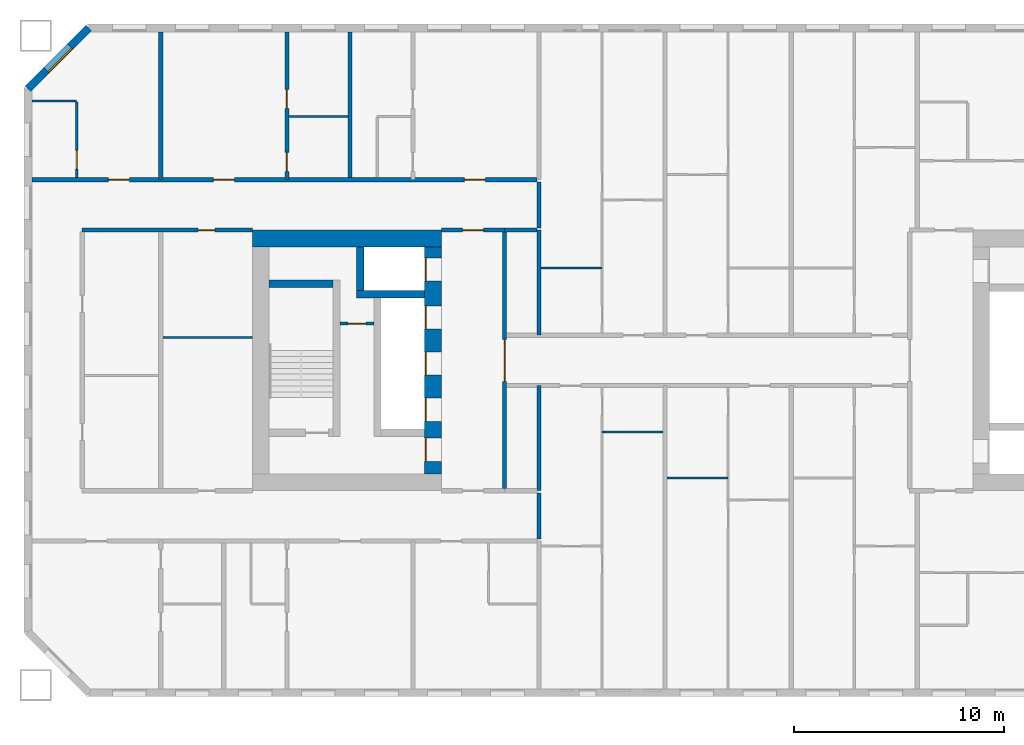
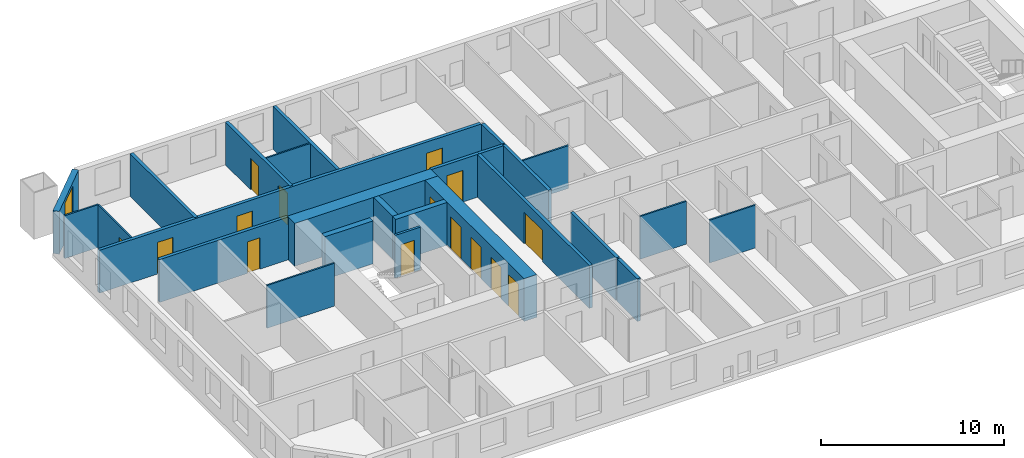
# One storey, part 4 of 16: 26 walls, 15 doors, 1 window, 16 openings.
"""IFC4 building model written with IfcOpenShell, lengths in metres."""

from ifc_helpers import new_model, si_unit, direction, frame, frame_2d, origin, place, context, subcontext, project, spatial, rectangle, extrude, material, layer, layer_set, type_object, element, fill, save


model = new_model("IFC4")

# Units and contexts
model_context = context("Model", 3, precision=1e-05, world=origin(), true_north=direction((0.0, 1.0)))
body_context = subcontext(model_context, "Body", "Model", "MODEL_VIEW")
ifc_project = project(units=[si_unit("LENGTHUNIT", "METRE"), si_unit("AREAUNIT", "SQUARE_METRE"), si_unit("VOLUMEUNIT", "CUBIC_METRE"), si_unit("PLANEANGLEUNIT", "RADIAN"), si_unit("MASSUNIT", "GRAM", prefix="KILO")], contexts=[model_context])

# Site, building, storey
site_placement = place(None, origin())
site = spatial("IfcSite", under=ifc_project, at=site_placement, CompositionType="ELEMENT")
building_placement = place(site_placement, origin())
building = spatial("IfcBuilding", under=site, at=building_placement, Name="Tuart Gate Housing", CompositionType="ELEMENT")
storey_placement = place(building_placement, frame((0.0, 0.0, 59.800048828125)))
storey = spatial("IfcBuildingStorey", under=building, at=storey_placement, Name="L16", CompositionType="ELEMENT", Elevation=59.800048828125)

# Wall, opening, window
ifc_material_1 = material(Name="Brick", Category="masonry")
ifc_layer_1 = layer(ifc_material_1, 0.360107421875)
ifc_layer_set_1 = layer_set([ifc_layer_1], Name="Brick pier and spandrel wall 360")
wall_type_1 = type_object("IfcWallType", Name="Brick pier and spandrel wall 360", PredefinedType="STANDARD", material=ifc_layer_set_1)
wall_1_placement = place(storey_placement, frame((24.57470703125, 85.820068359375, 0.0), z_axis=(0.0, 0.0, 1.0), x_axis=(-0.707106781187, -0.707106781187, 0.0)))
wall_1 = element("IfcWall", 1, at=wall_1_placement, inside=storey, type_object=wall_type_1, Name="External wall A-NW L16", PredefinedType="STANDARD", context=body_context, shape_type="SweptSolid", body=[
    extrude(rectangle(XDim=4.09375, YDim=0.360107421875, at=frame_2d((2.046875, 0.0))), origin(), (0.0, 0.0, 1.0), 2.849853515625),
])
opening_1_placement = place(wall_1_placement, frame((1.2470703125, 0.0, 0.800048828125)))
opening_1 = element("IfcOpeningElement", 2, at=opening_1_placement, cuts=wall_1, Name="Opening W1", PredefinedType="OPENING", context=body_context, shape_type="SweptSolid", body=[
    extrude(rectangle(XDim=1.60009765625, YDim=1.800048828125, at=frame_2d((0.800048828125, 0.89990234375))), frame((0.0, 0.18994140625, 0.0), z_axis=(0.0, -1.0, 0.0), x_axis=(1.0, 0.0, 0.0)), (0.0, 0.0, 1.0), 0.380126953125),
])
ifc_material_2 = material(Name="Aluminium frame with clear glass", Category="aluminium")
window_type = type_object("IfcWindowType", Name="Punched window 1600 x 1800", PartitioningType="SINGLE_PANEL", PredefinedType="WINDOW", material=ifc_material_2)
window_placement = place(opening_1_placement, origin())
window = element("IfcWindow", 3, at=window_placement, inside=storey, type_object=window_type, Name="Window W1", OverallHeight=1.800048828125, OverallWidth=1.60009765625, PartitioningType="SINGLE_PANEL", PredefinedType="WINDOW", context=body_context, shape_type="SweptSolid", body=[
    extrude(rectangle(XDim=1.60009765625, YDim=1.800048828125, at=frame_2d((0.800048828125, 0.89990234375))), frame((0.0, 0.150146484375, 0.0), z_axis=(0.0, -1.0, 0.0), x_axis=(1.0, 0.0, 0.0)), (0.0, 0.0, 1.0), 0.06005859375),
])
fill(opening_1, window)

# Wall, opening, door
ifc_material_3 = material(Name="Plasterboard partition")
ifc_layer_2 = layer(ifc_material_3, 0.14990234375)
ifc_layer_set_2 = layer_set([ifc_layer_2], Name="Core partition 150")
wall_type_2 = type_object("IfcWallType", Name="Core partition 150", PredefinedType="PARTITIONING", material=ifc_layer_set_2)
wall_2_placement = place(storey_placement, frame((38.135009765625, 71.75, 0.0), z_axis=(0.0, 0.0, 1.0), x_axis=(-1.0, 0.0, 0.0)))
wall_2 = element("IfcWall", 4, at=wall_2_placement, inside=storey, type_object=wall_type_2, Name="Core partition AK.3", PredefinedType="PARTITIONING", context=body_context, shape_type="SweptSolid", body=[
    extrude(rectangle(XDim=1.60009765625, YDim=0.14990234375, at=frame_2d((0.800048828125, 0.0))), origin(), (0.0, 0.0, 1.0), 2.849853515625),
])
opening_2_placement = place(wall_2_placement, frame((0.375, 0.0, 0.0)))
opening_2 = element("IfcOpeningElement", 5, at=opening_2_placement, cuts=wall_2, Name="Opening D738", PredefinedType="OPENING", context=body_context, shape_type="SweptSolid", body=[
    extrude(rectangle(XDim=0.85009765625, YDim=2.10009765625, at=frame_2d((0.425048828125, 1.050048828125))), frame((0.0, 0.0849609375, 0.0), z_axis=(0.0, -1.0, 0.0), x_axis=(1.0, 0.0, 0.0)), (0.0, 0.0, 1.0), 0.169921875),
])
ifc_material_4 = material(Name="Steel fire door", Category="steel")
door_type_1 = type_object("IfcDoorType", Name="Riser door 850 x 2100 RH", OperationType="SINGLE_SWING_RIGHT", PredefinedType="DOOR", material=ifc_material_4)
door_1_placement = place(opening_2_placement, frame((0.85009765625, 0.0, 0.0), z_axis=(0.0, 0.0, 1.0), x_axis=(-1.0, 0.0, 0.0)))
door_1 = element("IfcDoor", 6, at=door_1_placement, inside=storey, type_object=door_type_1, Name="Service room door AK.E1", OperationType="SINGLE_SWING_RIGHT", OverallHeight=2.10009765625, OverallWidth=0.85009765625, PredefinedType="DOOR", context=body_context, shape_type="SweptSolid", body=[
    extrude(rectangle(XDim=0.85009765625, YDim=2.10009765625, at=frame_2d((0.425048828125, 1.050048828125))), frame((0.0, 0.025146484375, 0.0), z_axis=(0.0, -1.0, 0.0), x_axis=(1.0, 0.0, 0.0)), (0.0, 0.0, 1.0), 0.050048828125),
])
fill(opening_2, door_1)

# Walls
ifc_material_5 = material(Name="Concrete C60", Category="concrete")
ifc_layer_3 = layer(ifc_material_5, 0.35009765625)
ifc_layer_set_3 = layer_set([ifc_layer_3], Name="Core wall 350 C60")
wall_type_3 = type_object("IfcWallType", Name="Core wall 350 C60", PredefinedType="SHEAR", material=ifc_layer_set_3)
wall_3_placement = place(storey_placement, frame((36.18505859375, 73.64990234375, 0.0), z_axis=(0.0, 0.0, 1.0), x_axis=(-1.0, 0.0, 0.0)))
element("IfcWall", 7, at=wall_3_placement, inside=storey, type_object=wall_type_3, Name="Core wall AK.1", PredefinedType="SHEAR", context=body_context, shape_type="SweptSolid", body=[
    extrude(rectangle(XDim=3.025146484375, YDim=0.35009765625, at=frame_2d((1.5126953125, 0.0))), origin(), (0.0, 0.0, 1.0), 2.849853515625),
])
wall_4_placement = place(storey_placement, frame((40.56005859375, 73.14990234375, 0.0), z_axis=(0.0, 0.0, 1.0), x_axis=(-1.0, 0.0, 0.0)))
element("IfcWall", 8, at=wall_4_placement, inside=storey, type_object=wall_type_3, Name="Core wall AK.2", PredefinedType="SHEAR", context=body_context, shape_type="SweptSolid", body=[
    extrude(rectangle(XDim=3.2451171875, YDim=0.35009765625, at=frame_2d((1.62255859375, 0.0))), origin(), (0.0, 0.0, 1.0), 2.849853515625),
])
wall_5_placement = place(storey_placement, frame((37.489990234375, 75.39990234375, 0.0), z_axis=(0.0, 0.0, 1.0), x_axis=(0.0, -1.0, 0.0)))
element("IfcWall", 9, at=wall_5_placement, inside=storey, type_object=wall_type_3, Name="Core wall AK.7", PredefinedType="SHEAR", context=body_context, shape_type="SweptSolid", body=[
    extrude(rectangle(XDim=2.074951171875, YDim=0.35009765625, at=frame_2d((1.03759765625, 0.0))), origin(), (0.0, 0.0, 1.0), 2.849853515625),
])

# Wall, openings, doors
ifc_material_6 = material(Name="Concrete C60", Category="concrete")
ifc_layer_4 = layer(ifc_material_6, 0.800048828125)
ifc_layer_set_4 = layer_set([ifc_layer_4], Name="Core wall 800 C60")
wall_type_4 = type_object("IfcWallType", Name="Core wall 800 C60", PredefinedType="SHEAR", material=ifc_layer_set_4)
wall_6_placement = place(storey_placement, frame((40.9599609375, 75.39990234375, 0.0), z_axis=(0.0, 0.0, 1.0), x_axis=(0.0, -1.0, 0.0)))
wall_6 = element("IfcWall", 10, at=wall_6_placement, inside=storey, type_object=wall_type_4, Name="Core wall AK front", PredefinedType="SHEAR", context=body_context, shape_type="SweptSolid", body=[
    extrude(rectangle(XDim=10.7998046875, YDim=0.800048828125, at=frame_2d((5.39990234375, 0.0))), origin(), (0.0, 0.0, 1.0), 2.849853515625),
])
opening_3_placement = place(wall_6_placement, frame((0.52490234375, 0.0, 0.0)))
opening_3 = element("IfcOpeningElement", 11, at=opening_3_placement, cuts=wall_6, Name="Opening LD-FA2", PredefinedType="OPENING", context=body_context, shape_type="SweptSolid", body=[
    extrude(rectangle(XDim=1.10009765625, YDim=2.10009765625, at=frame_2d((0.550048828125, 1.050048828125))), frame((0.0, 0.409912109375, 0.0), z_axis=(0.0, -1.0, 0.0), x_axis=(1.0, 0.0, 0.0)), (0.0, 0.0, 1.0), 0.820068359375),
])
opening_4_placement = place(wall_6_placement, frame((2.800048828125, 0.0, 0.0)))
opening_4 = element("IfcOpeningElement", 12, at=opening_4_placement, cuts=wall_6, Name="Opening LD-LA4", PredefinedType="OPENING", context=body_context, shape_type="SweptSolid", body=[
    extrude(rectangle(XDim=1.10009765625, YDim=2.10009765625, at=frame_2d((0.550048828125, 1.050048828125))), frame((0.0, 0.409912109375, 0.0), z_axis=(0.0, -1.0, 0.0), x_axis=(1.0, 0.0, 0.0)), (0.0, 0.0, 1.0), 0.820068359375),
])
opening_5_placement = place(wall_6_placement, frame((5.0, 0.0, 0.0)))
opening_5 = element("IfcOpeningElement", 13, at=opening_5_placement, cuts=wall_6, Name="Opening LD-LA5", PredefinedType="OPENING", context=body_context, shape_type="SweptSolid", body=[
    extrude(rectangle(XDim=1.10009765625, YDim=2.10009765625, at=frame_2d((0.550048828125, 1.050048828125))), frame((0.0, 0.409912109375, 0.0), z_axis=(0.0, -1.0, 0.0), x_axis=(1.0, 0.0, 0.0)), (0.0, 0.0, 1.0), 0.820068359375),
])
opening_6_placement = place(wall_6_placement, frame((7.199951171875, 0.0, 0.0)))
opening_6 = element("IfcOpeningElement", 14, at=opening_6_placement, cuts=wall_6, Name="Opening LD-LA6", PredefinedType="OPENING", context=body_context, shape_type="SweptSolid", body=[
    extrude(rectangle(XDim=1.10009765625, YDim=2.10009765625, at=frame_2d((0.550048828125, 1.050048828125))), frame((0.0, 0.409912109375, 0.0), z_axis=(0.0, -1.0, 0.0), x_axis=(1.0, 0.0, 0.0)), (0.0, 0.0, 1.0), 0.820068359375),
])
opening_7_placement = place(wall_6_placement, frame((9.10009765625, 0.0, 0.0)))
opening_7 = element("IfcOpeningElement", 15, at=opening_7_placement, cuts=wall_6, Name="Opening D744", PredefinedType="OPENING", context=body_context, shape_type="SweptSolid", body=[
    extrude(rectangle(XDim=1.10009765625, YDim=2.10009765625, at=frame_2d((0.550048828125, 1.050048828125))), frame((0.0, 0.409912109375, 0.0), z_axis=(0.0, -1.0, 0.0), x_axis=(1.0, 0.0, 0.0)), (0.0, 0.0, 1.0), 0.820068359375),
])
ifc_material_7 = material(Name="Stainless steel", Category="steel")
door_type_2 = type_object("IfcDoorType", Name="Landing door 1100 x 2100", OperationType="DOUBLE_DOOR_SLIDING", PredefinedType="DOOR", material=ifc_material_7)
door_2_placement = place(opening_3_placement, origin())
door_2 = element("IfcDoor", 16, at=door_2_placement, inside=storey, type_object=door_type_2, Name="Lift landing door FA2", OperationType="DOUBLE_DOOR_SLIDING", OverallHeight=2.10009765625, OverallWidth=1.10009765625, PredefinedType="DOOR", context=body_context, shape_type="SweptSolid", body=[
    extrude(rectangle(XDim=1.10009765625, YDim=2.10009765625, at=frame_2d((0.550048828125, 1.050048828125))), frame((0.0, -0.3349609375, 0.0), z_axis=(0.0, -1.0, 0.0), x_axis=(1.0, 0.0, 0.0)), (0.0, 0.0, 1.0), 0.050048828125),
])
fill(opening_3, door_2)
door_3_placement = place(opening_4_placement, origin())
door_3 = element("IfcDoor", 17, at=door_3_placement, inside=storey, type_object=door_type_2, Name="Lift landing door LA4", OperationType="DOUBLE_DOOR_SLIDING", OverallHeight=2.10009765625, OverallWidth=1.10009765625, PredefinedType="DOOR", context=body_context, shape_type="SweptSolid", body=[
    extrude(rectangle(XDim=1.10009765625, YDim=2.10009765625, at=frame_2d((0.550048828125, 1.050048828125))), frame((0.0, -0.3349609375, 0.0), z_axis=(0.0, -1.0, 0.0), x_axis=(1.0, 0.0, 0.0)), (0.0, 0.0, 1.0), 0.050048828125),
])
fill(opening_4, door_3)
door_4_placement = place(opening_5_placement, origin())
door_4 = element("IfcDoor", 18, at=door_4_placement, inside=storey, type_object=door_type_2, Name="Lift landing door LA5", OperationType="DOUBLE_DOOR_SLIDING", OverallHeight=2.10009765625, OverallWidth=1.10009765625, PredefinedType="DOOR", context=body_context, shape_type="SweptSolid", body=[
    extrude(rectangle(XDim=1.10009765625, YDim=2.10009765625, at=frame_2d((0.550048828125, 1.050048828125))), frame((0.0, -0.3349609375, 0.0), z_axis=(0.0, -1.0, 0.0), x_axis=(1.0, 0.0, 0.0)), (0.0, 0.0, 1.0), 0.050048828125),
])
fill(opening_5, door_4)
door_5_placement = place(opening_6_placement, origin())
door_5 = element("IfcDoor", 19, at=door_5_placement, inside=storey, type_object=door_type_2, Name="Lift landing door LA6", OperationType="DOUBLE_DOOR_SLIDING", OverallHeight=2.10009765625, OverallWidth=1.10009765625, PredefinedType="DOOR", context=body_context, shape_type="SweptSolid", body=[
    extrude(rectangle(XDim=1.10009765625, YDim=2.10009765625, at=frame_2d((0.550048828125, 1.050048828125))), frame((0.0, -0.3349609375, 0.0), z_axis=(0.0, -1.0, 0.0), x_axis=(1.0, 0.0, 0.0)), (0.0, 0.0, 1.0), 0.050048828125),
])
fill(opening_6, door_5)
ifc_material_8 = material(Name="Steel fire door", Category="steel")
door_type_3 = type_object("IfcDoorType", Name="Lobby door 1100 x 2100 RH", OperationType="SINGLE_SWING_RIGHT", PredefinedType="DOOR", material=ifc_material_8)
door_6_placement = place(opening_7_placement, frame((1.10009765625, 0.0, 0.0), z_axis=(0.0, 0.0, 1.0), x_axis=(-1.0, 0.0, 0.0)))
door_6 = element("IfcDoor", 20, at=door_6_placement, inside=storey, type_object=door_type_3, Name="Lobby entry door AK.EN", OperationType="SINGLE_SWING_RIGHT", OverallHeight=2.10009765625, OverallWidth=1.10009765625, PredefinedType="DOOR", context=body_context, shape_type="SweptSolid", body=[
    extrude(rectangle(XDim=1.10009765625, YDim=2.10009765625, at=frame_2d((0.550048828125, 1.050048828125))), frame((0.0, 0.385009765625, 0.0), z_axis=(0.0, -1.0, 0.0), x_axis=(1.0, 0.0, 0.0)), (0.0, 0.0, 1.0), 0.050048828125),
])
fill(opening_7, door_6)

# Wall
wall_7_placement = place(storey_placement, frame((41.360107421875, 75.800048828125, 0.0), z_axis=(0.0, 0.0, 1.0), x_axis=(-1.0, 0.0, 0.0)))
element("IfcWall", 21, at=wall_7_placement, inside=storey, type_object=wall_type_4, Name="Core wall AK south", PredefinedType="SHEAR", context=body_context, shape_type="SweptSolid", body=[
    extrude(rectangle(XDim=9.0, YDim=0.800048828125, at=frame_2d((4.5, 0.0))), origin(), (0.0, 0.0, 1.0), 2.849853515625),
])

# Wall, opening, door
ifc_material_9 = material(Name="Concrete masonry 15 MPa", Category="masonry")
ifc_layer_5 = layer(ifc_material_9, 0.199951171875)
ifc_layer_set_5 = layer_set([ifc_layer_5], Name="Corridor wall masonry 200")
wall_type_5 = type_object("IfcWallType", Name="Corridor wall masonry 200", PredefinedType="PARTITIONING", material=ifc_layer_set_5)
wall_8_placement = place(storey_placement, frame((24.260009765625, 76.199951171875, 0.0), z_axis=(0.0, 0.0, 1.0), x_axis=(1.0, 0.0, 0.0)))
wall_8 = element("IfcWall", 22, at=wall_8_placement, inside=storey, type_object=wall_type_5, Name="Corridor wall masonry 200", PredefinedType="PARTITIONING", context=body_context, shape_type="SweptSolid", body=[
    extrude(rectangle(XDim=8.10009765625, YDim=0.199951171875, at=frame_2d((4.050048828125, 0.0))), origin(), (0.0, 0.0, 1.0), 2.849853515625),
])
opening_8_placement = place(wall_8_placement, frame((5.52001953125, 0.0, 0.0)))
opening_8 = element("IfcOpeningElement", 23, at=opening_8_placement, cuts=wall_8, Name="Opening D734", PredefinedType="OPENING", context=body_context, shape_type="SweptSolid", body=[
    extrude(rectangle(XDim=0.800048828125, YDim=2.10009765625, at=frame_2d((0.39990234375, 1.050048828125))), frame((0.0, 0.10986328125, 0.0), z_axis=(0.0, -1.0, 0.0), x_axis=(1.0, 0.0, 0.0)), (0.0, 0.0, 1.0), 0.219970703125),
])
ifc_material_10 = material(Name="Timber door leaf in steel frame", Category="steel")
door_type_4 = type_object("IfcDoorType", Name="Store door 800 RH", OperationType="SINGLE_SWING_RIGHT", PredefinedType="DOOR", material=ifc_material_10)
door_7_placement = place(opening_8_placement, frame((0.800048828125, 0.0, 0.0), z_axis=(0.0, 0.0, 1.0), x_axis=(-1.0, 0.0, 0.0)))
door_7 = element("IfcDoor", 24, at=door_7_placement, inside=storey, type_object=door_type_4, Name="Store door", OperationType="SINGLE_SWING_RIGHT", OverallHeight=2.10009765625, OverallWidth=0.800048828125, PredefinedType="DOOR", context=body_context, shape_type="SweptSolid", body=[
    extrude(rectangle(XDim=0.800048828125, YDim=2.10009765625, at=frame_2d((0.400146484375, 1.050048828125))), frame((0.0, 0.025146484375, 0.0), z_axis=(0.0, -1.0, 0.0), x_axis=(1.0, 0.0, 0.0)), (0.0, 0.0, 1.0), 0.050048828125),
])
fill(opening_8, door_7)

# Wall
wall_9_placement = place(storey_placement, frame((44.360107421875, 76.199951171875, 0.0), z_axis=(0.0, 0.0, 1.0), x_axis=(1.0, 0.0, 0.0)))
element("IfcWall", 25, at=wall_9_placement, inside=storey, type_object=wall_type_5, Name="Corridor wall masonry 200", PredefinedType="PARTITIONING", context=body_context, shape_type="SweptSolid", body=[
    extrude(rectangle(XDim=1.539794921875, YDim=0.199951171875, at=frame_2d((0.77001953125, 0.0))), origin(), (0.0, 0.0, 1.0), 2.849853515625),
])

# Wall, openings, doors
wall_10_placement = place(storey_placement, frame((21.860107421875, 78.60009765625, 0.0), z_axis=(0.0, 0.0, 1.0), x_axis=(1.0, 0.0, 0.0)))
wall_10 = element("IfcWall", 26, at=wall_10_placement, inside=storey, type_object=wall_type_5, Name="Corridor wall masonry 200", PredefinedType="PARTITIONING", context=body_context, shape_type="SweptSolid", body=[
    extrude(rectangle(XDim=24.039794921875, YDim=0.199951171875, at=frame_2d((12.02001953125, 0.0))), origin(), (0.0, 0.0, 1.0), 2.849853515625),
])
opening_9_placement = place(wall_10_placement, frame((20.590087890625, 0.0, 0.0)))
opening_9 = element("IfcOpeningElement", 27, at=opening_9_placement, cuts=wall_10, Name="Opening D724", PredefinedType="OPENING", context=body_context, shape_type="SweptSolid", body=[
    extrude(rectangle(XDim=1.0, YDim=2.10009765625, at=frame_2d((0.5, 1.050048828125))), frame((0.0, 0.10986328125, 0.0), z_axis=(0.0, -1.0, 0.0), x_axis=(1.0, 0.0, 0.0)), (0.0, 0.0, 1.0), 0.219970703125),
])
opening_10_placement = place(wall_10_placement, frame((8.639892578125, 0.0, 0.0)))
opening_10 = element("IfcOpeningElement", 28, at=opening_10_placement, cuts=wall_10, Name="Opening D725", PredefinedType="OPENING", context=body_context, shape_type="SweptSolid", body=[
    extrude(rectangle(XDim=1.0, YDim=2.10009765625, at=frame_2d((0.5, 1.050048828125))), frame((0.0, 0.10986328125, 0.0), z_axis=(0.0, -1.0, 0.0), x_axis=(1.0, 0.0, 0.0)), (0.0, 0.0, 1.0), 0.219970703125),
])
opening_11_placement = place(wall_10_placement, frame((3.639892578125, 0.0, 0.0)))
opening_11 = element("IfcOpeningElement", 29, at=opening_11_placement, cuts=wall_10, Name="Opening D726", PredefinedType="OPENING", context=body_context, shape_type="SweptSolid", body=[
    extrude(rectangle(XDim=1.0, YDim=2.10009765625, at=frame_2d((0.5, 1.050048828125))), frame((0.0, 0.10986328125, 0.0), z_axis=(0.0, -1.0, 0.0), x_axis=(1.0, 0.0, 0.0)), (0.0, 0.0, 1.0), 0.219970703125),
])
ifc_material_11 = material(Name="Timber door leaf in steel frame", Category="steel")
door_type_5 = type_object("IfcDoorType", Name="Flat entrance door 1000", OperationType="SINGLE_SWING_LEFT", PredefinedType="DOOR", material=ifc_material_11)
door_8_placement = place(opening_9_placement, origin())
door_8 = element("IfcDoor", 30, at=door_8_placement, inside=storey, type_object=door_type_5, Name="Flat entrance door", OperationType="SINGLE_SWING_LEFT", OverallHeight=2.10009765625, OverallWidth=1.0, PredefinedType="DOOR", context=body_context, shape_type="SweptSolid", body=[
    extrude(rectangle(XDim=1.0, YDim=2.10009765625, at=frame_2d((0.5, 1.050048828125))), frame((0.0, 0.02490234375, 0.0), z_axis=(0.0, -1.0, 0.0), x_axis=(1.0, 0.0, 0.0)), (0.0, 0.0, 1.0), 0.050048828125),
])
fill(opening_9, door_8)
door_9_placement = place(opening_10_placement, origin())
door_9 = element("IfcDoor", 31, at=door_9_placement, inside=storey, type_object=door_type_5, Name="Flat entrance door", OperationType="SINGLE_SWING_LEFT", OverallHeight=2.10009765625, OverallWidth=1.0, PredefinedType="DOOR", context=body_context, shape_type="SweptSolid", body=[
    extrude(rectangle(XDim=1.0, YDim=2.10009765625, at=frame_2d((0.5, 1.050048828125))), frame((0.0, 0.02490234375, 0.0), z_axis=(0.0, -1.0, 0.0), x_axis=(1.0, 0.0, 0.0)), (0.0, 0.0, 1.0), 0.050048828125),
])
fill(opening_10, door_9)
door_10_placement = place(opening_11_placement, origin())
door_10 = element("IfcDoor", 32, at=door_10_placement, inside=storey, type_object=door_type_5, Name="Flat entrance door", OperationType="SINGLE_SWING_LEFT", OverallHeight=2.10009765625, OverallWidth=1.0, PredefinedType="DOOR", context=body_context, shape_type="SweptSolid", body=[
    extrude(rectangle(XDim=1.0, YDim=2.10009765625, at=frame_2d((0.5, 1.050048828125))), frame((0.0, 0.02490234375, 0.0), z_axis=(0.0, -1.0, 0.0), x_axis=(1.0, 0.0, 0.0)), (0.0, 0.0, 1.0), 0.050048828125),
])
fill(opening_11, door_10)

# Walls
for number, where, z_axis, x_axis, name in (
    (33, (46.0, 61.5, 0.0), (0.0, 0.0, 1.0), (0.0, 1.0, 0.0), "Corridor wall masonry 200"),
    (34, (46.0, 76.300048828125, 0.0), (0.0, 0.0, 1.0), (0.0, 1.0, 0.0), "Corridor wall masonry 200"),
):
    element("IfcWall", number, at=place(storey_placement, frame(where, z_axis=z_axis, x_axis=x_axis)), inside=storey, type_object=wall_type_5, Name=name, PredefinedType="PARTITIONING", context=body_context, shape_type="SweptSolid", body=[
        extrude(rectangle(XDim=2.199951171875, YDim=0.199951171875, at=frame_2d((1.10009765625, 0.0))), origin(), (0.0, 0.0, 1.0), 2.849853515625),
    ])

# Wall, opening, door
ifc_material_12 = material(Name="Concrete masonry 15 MPa", Category="masonry")
ifc_layer_6 = layer(ifc_material_12, 0.199951171875)
ifc_layer_set_6 = layer_set([ifc_layer_6], Name="Enclosure wall masonry 200")
wall_type_6 = type_object("IfcWallType", Name="Enclosure wall masonry 200", PredefinedType="PARTITIONING", material=ifc_layer_set_6)
wall_11_placement = place(storey_placement, frame((41.360107421875, 76.199951171875, 0.0), z_axis=(0.0, 0.0, 1.0), x_axis=(1.0, 0.0, 0.0)))
wall_11 = element("IfcWall", 35, at=wall_11_placement, inside=storey, type_object=wall_type_6, Name="Enclosure wall masonry 200", PredefinedType="PARTITIONING", context=body_context, shape_type="SweptSolid", body=[
    extrude(rectangle(XDim=3.0, YDim=0.199951171875, at=frame_2d((1.5, 0.0))), origin(), (0.0, 0.0, 1.0), 2.849853515625),
])
opening_12_placement = place(wall_11_placement, frame((1.0, 0.0, 0.0)))
opening_12 = element("IfcOpeningElement", 36, at=opening_12_placement, cuts=wall_11, Name="Opening D735", PredefinedType="OPENING", context=body_context, shape_type="SweptSolid", body=[
    extrude(rectangle(XDim=1.0, YDim=2.10009765625, at=frame_2d((0.5, 1.050048828125))), frame((0.0, 0.10986328125, 0.0), z_axis=(0.0, -1.0, 0.0), x_axis=(1.0, 0.0, 0.0)), (0.0, 0.0, 1.0), 0.219970703125),
])
ifc_material_13 = material(Name="Timber door leaf in steel frame", Category="steel")
door_type_6 = type_object("IfcDoorType", Name="Fire door 1000 RH", OperationType="SINGLE_SWING_RIGHT", PredefinedType="DOOR", material=ifc_material_13)
door_11_placement = place(opening_12_placement, origin())
door_11 = element("IfcDoor", 37, at=door_11_placement, inside=storey, type_object=door_type_6, Name="Fire door", OperationType="SINGLE_SWING_RIGHT", OverallHeight=2.10009765625, OverallWidth=1.0, PredefinedType="DOOR", context=body_context, shape_type="SweptSolid", body=[
    extrude(rectangle(XDim=1.0, YDim=2.10009765625, at=frame_2d((0.5, 1.050048828125))), frame((0.0, 0.02490234375, 0.0), z_axis=(0.0, -1.0, 0.0), x_axis=(1.0, 0.0, 0.0)), (0.0, 0.0, 1.0), 0.050048828125),
])
fill(opening_12, door_11)

ifc_material_14 = material(Name="Plasterboard partition")
ifc_layer_7 = layer(ifc_material_14, 0.199951171875)
ifc_layer_set_7 = layer_set([ifc_layer_7], Name="Lobby wall 200")
wall_type_7 = type_object("IfcWallType", Name="Lobby wall 200", PredefinedType="PARTITIONING", material=ifc_layer_set_7)
wall_12_placement = place(storey_placement, frame((44.360107421875, 63.89990234375, 0.0), z_axis=(0.0, 0.0, 1.0), x_axis=(0.0, 1.0, 0.0)))
wall_12 = element("IfcWall", 38, at=wall_12_placement, inside=storey, type_object=wall_type_7, Name="Lift lobby wall AK", PredefinedType="PARTITIONING", context=body_context, shape_type="SweptSolid", body=[
    extrude(rectangle(XDim=12.2001953125, YDim=0.199951171875, at=frame_2d((6.10009765625, 0.0))), origin(), (0.0, 0.0, 1.0), 2.849853515625),
])
opening_13_placement = place(wall_12_placement, frame((5.10009765625, 0.0, 0.0)))
opening_13 = element("IfcOpeningElement", 39, at=opening_13_placement, cuts=wall_12, Name="Opening D745", PredefinedType="OPENING", context=body_context, shape_type="SweptSolid", body=[
    extrude(rectangle(XDim=2.0, YDim=2.10009765625, at=frame_2d((1.0, 1.050048828125))), frame((0.0, 0.10986328125, 0.0), z_axis=(0.0, -1.0, 0.0), x_axis=(1.0, 0.0, 0.0)), (0.0, 0.0, 1.0), 0.219970703125),
])
ifc_material_15 = material(Name="Steel fire door", Category="steel")
door_type_7 = type_object("IfcDoorType", Name="Smoke door 2000 x 2100", OperationType="DOUBLE_DOOR_SINGLE_SWING", PredefinedType="DOOR", material=ifc_material_15)
door_12_placement = place(opening_13_placement, origin())
door_12 = element("IfcDoor", 40, at=door_12_placement, inside=storey, type_object=door_type_7, Name="Lift lobby smoke door AK", OperationType="DOUBLE_DOOR_SINGLE_SWING", OverallHeight=2.10009765625, OverallWidth=2.0, PredefinedType="DOOR", context=body_context, shape_type="SweptSolid", body=[
    extrude(rectangle(XDim=2.0, YDim=2.10009765625, at=frame_2d((1.0, 1.050048828125))), frame((0.0, 0.02490234375, 0.0), z_axis=(0.0, -1.0, 0.0), x_axis=(1.0, 0.0, 0.0)), (0.0, 0.0, 1.0), 0.050048828125),
])
fill(opening_13, door_12)

# Walls
ifc_material_16 = material(Name="Gypsum board on steel studs", Category="steel")
ifc_layer_8 = layer(ifc_material_16, 0.10009765625)
ifc_layer_set_8 = layer_set([ifc_layer_8], Name="Partition 100")
wall_type_8 = type_object("IfcWallType", Name="Partition 100", PredefinedType="PARTITIONING", material=ifc_layer_set_8)
for number, where, z_axis, x_axis, name in (
    (41, (52.10009765625, 64.39990234375, 0.0), (0.0, 0.0, 1.0), (1.0, 0.0, 0.0), "Partition 100"),
    (42, (49.0, 66.60009765625, 0.0), (0.0, 0.0, 1.0), (1.0, 0.0, 0.0), "Partition 100"),
):
    element("IfcWall", number, at=place(storey_placement, frame(where, z_axis=z_axis, x_axis=x_axis)), inside=storey, type_object=wall_type_8, Name=name, PredefinedType="PARTITIONING", context=body_context, shape_type="SweptSolid", body=[
        extrude(rectangle(XDim=2.89990234375, YDim=0.10009765625, at=frame_2d((1.449951171875, 0.0))), origin(), (0.0, 0.0, 1.0), 2.849853515625),
    ])
wall_13_placement = place(storey_placement, frame((28.10009765625, 71.090087890625, 0.0), z_axis=(0.0, 0.0, 1.0), x_axis=(1.0, 0.0, 0.0)))
element("IfcWall", 43, at=wall_13_placement, inside=storey, type_object=wall_type_8, Name="Partition 100", PredefinedType="PARTITIONING", context=body_context, shape_type="SweptSolid", body=[
    extrude(rectangle(XDim=4.260009765625, YDim=0.10009765625, at=frame_2d((2.1298828125, 0.0))), origin(), (0.0, 0.0, 1.0), 2.849853515625),
])
wall_14_placement = place(storey_placement, frame((46.10009765625, 74.39990234375, 0.0), z_axis=(0.0, 0.0, 1.0), x_axis=(1.0, 0.0, 0.0)))
element("IfcWall", 44, at=wall_14_placement, inside=storey, type_object=wall_type_8, Name="Partition 100", PredefinedType="PARTITIONING", context=body_context, shape_type="SweptSolid", body=[
    extrude(rectangle(XDim=2.89990234375, YDim=0.10009765625, at=frame_2d((1.449951171875, 0.0))), origin(), (0.0, 0.0, 1.0), 2.849853515625),
])
wall_15_placement = place(storey_placement, frame((34.10009765625, 81.60009765625, 0.0), z_axis=(0.0, 0.0, 1.0), x_axis=(1.0, 0.0, 0.0)))
element("IfcWall", 45, at=wall_15_placement, inside=storey, type_object=wall_type_8, Name="Partition 100", PredefinedType="PARTITIONING", context=body_context, shape_type="SweptSolid", body=[
    extrude(rectangle(XDim=2.7998046875, YDim=0.10009765625, at=frame_2d((1.39990234375, 0.0))), origin(), (0.0, 0.0, 1.0), 2.849853515625),
])
wall_16_placement = place(storey_placement, frame((21.860107421875, 82.35009765625, 0.0), z_axis=(0.0, 0.0, 1.0), x_axis=(1.0, 0.0, 0.0)))
element("IfcWall", 46, at=wall_16_placement, inside=storey, type_object=wall_type_8, Name="Partition 100", PredefinedType="PARTITIONING", context=body_context, shape_type="SweptSolid", body=[
    extrude(rectangle(XDim=2.139892578125, YDim=0.10009765625, at=frame_2d((1.06982421875, 0.0))), origin(), (0.0, 0.0, 1.0), 2.849853515625),
])

# Wall, opening, door
wall_17_placement = place(storey_placement, frame((24.0, 78.699951171875, 0.0), z_axis=(0.0, 0.0, 1.0), x_axis=(0.0, 1.0, 0.0)))
wall_17 = element("IfcWall", 47, at=wall_17_placement, inside=storey, type_object=wall_type_8, Name="Partition 100", PredefinedType="PARTITIONING", context=body_context, shape_type="SweptSolid", body=[
    extrude(rectangle(XDim=3.60009765625, YDim=0.10009765625, at=frame_2d((1.800048828125, 0.0))), origin(), (0.0, 0.0, 1.0), 2.849853515625),
])
opening_14_placement = place(wall_17_placement, frame((0.39990234375, 0.0, 0.0)))
opening_14 = element("IfcOpeningElement", 48, at=opening_14_placement, cuts=wall_17, Name="Opening D719", PredefinedType="OPENING", context=body_context, shape_type="SweptSolid", body=[
    extrude(rectangle(XDim=0.89990234375, YDim=2.10009765625, at=frame_2d((0.449951171875, 1.050048828125))), frame((0.0, 0.06005859375, 0.0), z_axis=(0.0, -1.0, 0.0), x_axis=(1.0, 0.0, 0.0)), (0.0, 0.0, 1.0), 0.1201171875),
])
ifc_material_17 = material(Name="Timber door leaf in steel frame", Category="steel")
door_type_8 = type_object("IfcDoorType", Name="Bathroom door 900", OperationType="SINGLE_SWING_LEFT", PredefinedType="DOOR", material=ifc_material_17)
door_13_placement = place(opening_14_placement, origin())
door_13 = element("IfcDoor", 49, at=door_13_placement, inside=storey, type_object=door_type_8, Name="Bathroom door", OperationType="SINGLE_SWING_LEFT", OverallHeight=2.10009765625, OverallWidth=0.89990234375, PredefinedType="DOOR", context=body_context, shape_type="SweptSolid", body=[
    extrude(rectangle(XDim=0.89990234375, YDim=2.10009765625, at=frame_2d((0.449951171875, 1.050048828125))), frame((0.0, 0.02490234375, 0.0), z_axis=(0.0, -1.0, 0.0), x_axis=(1.0, 0.0, 0.0)), (0.0, 0.0, 1.0), 0.050048828125),
])
fill(opening_14, door_13)

# Wall
ifc_material_18 = material(Name="Concrete C40", Category="concrete")
ifc_layer_9 = layer(ifc_material_18, 0.199951171875)
ifc_layer_set_9 = layer_set([ifc_layer_9], Name="Party wall concrete C40 200")
wall_type_9 = type_object("IfcWallType", Name="Party wall concrete C40 200", PredefinedType="SOLIDWALL", material=ifc_layer_set_9)
wall_18_placement = place(storey_placement, frame((28.0, 78.60009765625, 0.0), z_axis=(0.0, 0.0, 1.0), x_axis=(0.0, 1.0, 0.0)))
element("IfcWall", 50, at=wall_18_placement, inside=storey, type_object=wall_type_9, Name="Party wall concrete C40 200", PredefinedType="SOLIDWALL", context=body_context, shape_type="SweptSolid", body=[
    extrude(rectangle(XDim=7.039794921875, YDim=0.199951171875, at=frame_2d((3.52001953125, 0.0))), origin(), (0.0, 0.0, 1.0), 2.849853515625),
])

# Wall, openings, doors
wall_19_placement = place(storey_placement, frame((34.0, 78.60009765625, 0.0), z_axis=(0.0, 0.0, 1.0), x_axis=(0.0, 1.0, 0.0)))
wall_19 = element("IfcWall", 51, at=wall_19_placement, inside=storey, type_object=wall_type_9, Name="Party wall concrete C40 200", PredefinedType="SOLIDWALL", context=body_context, shape_type="SweptSolid", body=[
    extrude(rectangle(XDim=7.039794921875, YDim=0.199951171875, at=frame_2d((3.52001953125, 0.0))), origin(), (0.0, 0.0, 1.0), 2.849853515625),
])
opening_15_placement = place(wall_19_placement, frame((3.39990234375, 0.0, 0.0)))
opening_15 = element("IfcOpeningElement", 52, at=opening_15_placement, cuts=wall_19, Name="Opening D714", PredefinedType="OPENING", context=body_context, shape_type="SweptSolid", body=[
    extrude(rectangle(XDim=0.89990234375, YDim=2.10009765625, at=frame_2d((0.449951171875, 1.050048828125))), frame((0.0, 0.10986328125, 0.0), z_axis=(0.0, -1.0, 0.0), x_axis=(1.0, 0.0, 0.0)), (0.0, 0.0, 1.0), 0.219970703125),
])
opening_16_placement = place(wall_19_placement, frame((0.39990234375, 0.0, 0.0)))
opening_16 = element("IfcOpeningElement", 53, at=opening_16_placement, cuts=wall_19, Name="Opening D713", PredefinedType="OPENING", context=body_context, shape_type="SweptSolid", body=[
    extrude(rectangle(XDim=0.89990234375, YDim=2.10009765625, at=frame_2d((0.449951171875, 1.050048828125))), frame((0.0, 0.10986328125, 0.0), z_axis=(0.0, -1.0, 0.0), x_axis=(1.0, 0.0, 0.0)), (0.0, 0.0, 1.0), 0.219970703125),
])
ifc_material_19 = material(Name="Timber door leaf in steel frame", Category="steel")
door_type_9 = type_object("IfcDoorType", Name="Bathroom door 900 RH", OperationType="SINGLE_SWING_RIGHT", PredefinedType="DOOR", material=ifc_material_19)
door_14_placement = place(opening_16_placement, frame((0.89990234375, 0.0, 0.0), z_axis=(0.0, 0.0, 1.0), x_axis=(-1.0, 0.0, 0.0)))
door_14 = element("IfcDoor", 54, at=door_14_placement, inside=storey, type_object=door_type_9, Name="Bathroom door", OperationType="SINGLE_SWING_RIGHT", OverallHeight=2.10009765625, OverallWidth=0.89990234375, PredefinedType="DOOR", context=body_context, shape_type="SweptSolid", body=[
    extrude(rectangle(XDim=0.89990234375, YDim=2.10009765625, at=frame_2d((0.449951171875, 1.050048828125))), frame((0.0, 0.025146484375, 0.0), z_axis=(0.0, -1.0, 0.0), x_axis=(1.0, 0.0, 0.0)), (0.0, 0.0, 1.0), 0.050048828125),
])
fill(opening_16, door_14)
ifc_material_20 = material(Name="Timber door leaf in steel frame", Category="steel")
door_type_10 = type_object("IfcDoorType", Name="Internal door 900 RH", OperationType="SINGLE_SWING_RIGHT", PredefinedType="DOOR", material=ifc_material_20)
door_15_placement = place(opening_15_placement, frame((0.89990234375, 0.0, 0.0), z_axis=(0.0, 0.0, 1.0), x_axis=(-1.0, 0.0, 0.0)))
door_15 = element("IfcDoor", 55, at=door_15_placement, inside=storey, type_object=door_type_10, Name="Internal door", OperationType="SINGLE_SWING_RIGHT", OverallHeight=2.10009765625, OverallWidth=0.89990234375, PredefinedType="DOOR", context=body_context, shape_type="SweptSolid", body=[
    extrude(rectangle(XDim=0.89990234375, YDim=2.10009765625, at=frame_2d((0.449951171875, 1.050048828125))), frame((0.0, 0.025146484375, 0.0), z_axis=(0.0, -1.0, 0.0), x_axis=(1.0, 0.0, 0.0)), (0.0, 0.0, 1.0), 0.050048828125),
])
fill(opening_15, door_15)

# Walls
for number, where, z_axis, x_axis, name in (
    (56, (46.0, 63.800048828125, 0.0), (0.0, 0.0, 1.0), (0.0, 1.0, 0.0), "Party wall concrete C40 200"),
    (57, (46.0, 71.199951171875, 0.0), (0.0, 0.0, 1.0), (0.0, 1.0, 0.0), "Party wall concrete C40 200"),
):
    element("IfcWall", number, at=place(storey_placement, frame(where, z_axis=z_axis, x_axis=x_axis)), inside=storey, type_object=wall_type_9, Name=name, PredefinedType="SOLIDWALL", context=body_context, shape_type="SweptSolid", body=[
        extrude(rectangle(XDim=5.0, YDim=0.199951171875, at=frame_2d((2.5, 0.0))), origin(), (0.0, 0.0, 1.0), 2.849853515625),
    ])
ifc_material_21 = material(Name="Concrete masonry 15 MPa", Category="masonry")
ifc_layer_10 = layer(ifc_material_21, 0.199951171875)
ifc_layer_set_10 = layer_set([ifc_layer_10], Name="Party wall masonry 200")
wall_type_10 = type_object("IfcWallType", Name="Party wall masonry 200", PredefinedType="PARTITIONING", material=ifc_layer_set_10)
wall_20_placement = place(storey_placement, frame((37.0, 78.699951171875, 0.0), z_axis=(0.0, 0.0, 1.0), x_axis=(0.0, 1.0, 0.0)))
element("IfcWall", 58, at=wall_20_placement, inside=storey, type_object=wall_type_10, Name="Party wall masonry 200", PredefinedType="PARTITIONING", context=body_context, shape_type="SweptSolid", body=[
    extrude(rectangle(XDim=6.93994140625, YDim=0.199951171875, at=frame_2d((3.469970703125, 0.0))), origin(), (0.0, 0.0, 1.0), 2.849853515625),
])

save(model, "model.ifc")
